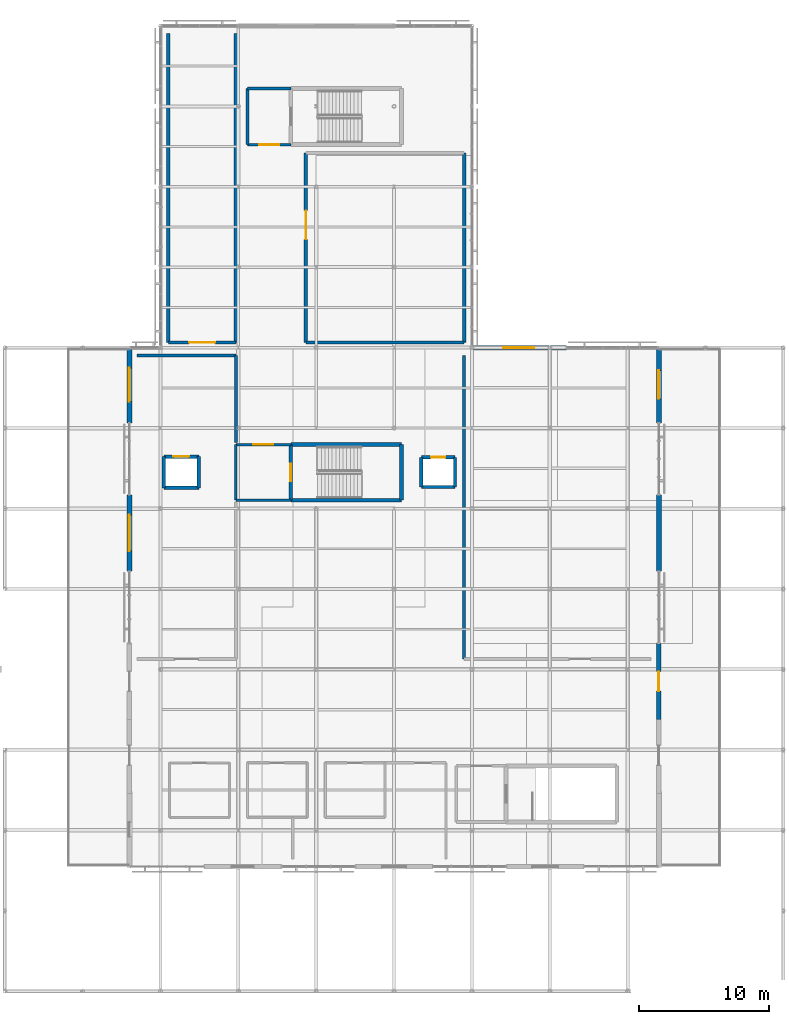
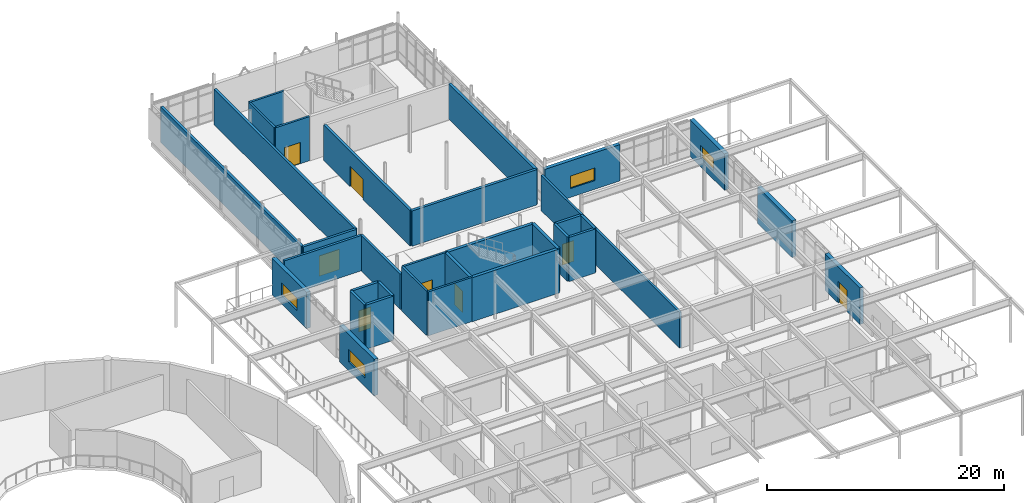
# One storey, part 42 of 48: 33 walls, 8 doors, 4 windows, 12 openings.
"""IFC4 building model written with IfcOpenShell, lengths in metres."""

from ifc_helpers import new_model, si_unit, direction, frame, frame_2d, origin, place, context, subcontext, project, spatial, rectangle, extrude, material, layer, layer_set, type_object, element, fill, save


model = new_model("IFC4")

# Units and contexts
model_context = context("Model", 3, precision=1e-05, world=origin(), true_north=direction((0.0, 1.0)))
body_context = subcontext(model_context, "Body", "Model", "MODEL_VIEW")
ifc_project = project(units=[si_unit("LENGTHUNIT", "METRE"), si_unit("AREAUNIT", "SQUARE_METRE"), si_unit("VOLUMEUNIT", "CUBIC_METRE"), si_unit("PLANEANGLEUNIT", "RADIAN"), si_unit("MASSUNIT", "GRAM", prefix="KILO")], contexts=[model_context])

# Site, building, storey
site_placement = place(None, origin())
site = spatial("IfcSite", under=ifc_project, at=site_placement, CompositionType="ELEMENT")
building_placement = place(site_placement, origin())
building = spatial("IfcBuilding", under=site, at=building_placement, Name="Mirzam Square Science Centre", CompositionType="ELEMENT")
storey_placement = place(building_placement, frame((0.0, 0.0, 20.39990234375)))
storey = spatial("IfcBuildingStorey", under=building, at=storey_placement, Name="L04", CompositionType="ELEMENT", Elevation=20.39990234375)

# Walls
ifc_material_1 = material(Name="Concrete C45/55", Category="concrete")
ifc_layer_1 = layer(ifc_material_1, 0.300048828125)
ifc_layer_set_1 = layer_set([ifc_layer_1], Name="W-CORE-300")
wall_type_1 = type_object("IfcWallType", Name="W-CORE-300", PredefinedType="SHEAR", material=ifc_layer_set_1)
for number, where, z_axis, x_axis, name in (
    (1, (124.0400390625, 75.0400390625, 0.0), (0.0, 0.0, 1.0), (1.0, 0.0, 0.0), "L04 CORE-4 south wall"),
    (2, (132.56005859375, 79.330078125, 0.0), (0.0, 0.0, 1.0), (-1.0, 0.0, 0.0), "L04 CORE-4 north wall"),
):
    element("IfcWall", number, at=place(storey_placement, frame(where, z_axis=z_axis, x_axis=x_axis)), inside=storey, type_object=wall_type_1, Name=name, PredefinedType="SHEAR", context=body_context, shape_type="SweptSolid", body=[
        extrude(rectangle(XDim=8.52001953125, YDim=0.300048828125, at=frame_2d((4.260009765625, 0.0))), origin(), (0.0, 0.0, 1.0), 4.550048828125),
    ])

# Wall, opening, door
wall_1_placement = place(storey_placement, frame((124.0400390625, 79.330078125, 0.0), z_axis=(0.0, 0.0, 1.0), x_axis=(0.0, -1.0, 0.0)))
wall_1 = element("IfcWall", 3, at=wall_1_placement, inside=storey, type_object=wall_type_1, Name="L04 CORE-4 west wall", PredefinedType="SHEAR", context=body_context, shape_type="SweptSolid", body=[
    extrude(rectangle(XDim=4.2900390625, YDim=0.300048828125, at=frame_2d((2.14501953125, 0.0))), origin(), (0.0, 0.0, 1.0), 4.550048828125),
])
opening_1_placement = place(wall_1_placement, frame((1.469970703125, 0.0, 0.0)))
opening_1 = element("IfcOpeningElement", 4, at=opening_1_placement, cuts=wall_1, Name="Opening DS-01", PredefinedType="OPENING", context=body_context, shape_type="SweptSolid", body=[
    extrude(rectangle(XDim=1.35009765625, YDim=2.199951171875, at=frame_2d((0.675048828125, 1.10009765625))), frame((0.0, 0.159912109375, 0.0), z_axis=(0.0, -1.0, 0.0), x_axis=(1.0, 0.0, 0.0)), (0.0, 0.0, 1.0), 0.320068359375),
])
ifc_material_2 = material(Name="Fire-Rated Powder-Coated Architectural Steel Door", Category="steel")
door_type_1 = type_object("IfcDoorType", Name="DR-STAIR-1350x2200", OperationType="NOTDEFINED", PredefinedType="DOOR", material=ifc_material_2)
door_1_placement = place(opening_1_placement, origin())
door_1 = element("IfcDoor", 5, at=door_1_placement, inside=storey, type_object=door_type_1, Name="DRS-4-L04", OperationType="SINGLE_SWING_RIGHT", OverallHeight=2.199951171875, OverallWidth=1.35009765625, PredefinedType="DOOR", context=body_context, shape_type="SweptSolid", body=[
    extrude(rectangle(XDim=1.35009765625, YDim=2.199951171875, at=frame_2d((0.675048828125, 1.10009765625))), frame((0.0, 0.02490234375, 0.0), z_axis=(0.0, -1.0, 0.0), x_axis=(1.0, 0.0, 0.0)), (0.0, 0.0, 1.0), 0.050048828125),
])
fill(opening_1, door_1)

# Wall
wall_2_placement = place(storey_placement, frame((132.56005859375, 75.0400390625, 0.0), z_axis=(0.0, 0.0, 1.0), x_axis=(0.0, 1.0, 0.0)))
element("IfcWall", 6, at=wall_2_placement, inside=storey, type_object=wall_type_1, Name="L04 CORE-4 east wall", PredefinedType="SHEAR", context=body_context, shape_type="SweptSolid", body=[
    extrude(rectangle(XDim=4.2900390625, YDim=0.300048828125, at=frame_2d((2.14501953125, 0.0))), origin(), (0.0, 0.0, 1.0), 4.550048828125),
])

# Wall, opening, window
ifc_material_3 = material(Name="Insulated Sand-Toned GFRC Concrete C40/50", Category="concrete")
ifc_layer_2 = layer(ifc_material_3, 0.340087890625)
ifc_layer_set_2 = layer_set([ifc_layer_2], Name="W-EXT-GFRC-340")
wall_type_2 = type_object("IfcWallType", Name="W-EXT-GFRC-340", PredefinedType="SOLIDWALL", material=ifc_layer_set_2)
wall_3_placement = place(storey_placement, frame((145.27490234375, 86.800048828125, 0.0), z_axis=(0.0, 0.0, 1.0), x_axis=(-1.0, 0.0, 0.0)))
wall_3 = element("IfcWall", 7, at=wall_3_placement, inside=storey, type_object=wall_type_2, Name="L04 external wall EW-EST-NE-L04-02", PredefinedType="SOLIDWALL", context=body_context, shape_type="SweptSolid", body=[
    extrude(rectangle(XDim=7.349853515625, YDim=0.340087890625, at=frame_2d((3.6748046875, 0.0))), origin(), (0.0, 0.0, 1.0), 3.760009765625),
])
opening_2_placement = place(wall_3_placement, frame((2.47509765625, 0.0, 0.89990234375)))
opening_2 = element("IfcOpeningElement", 8, at=opening_2_placement, cuts=wall_3, Name="Opening W-09", PredefinedType="OPENING", context=body_context, shape_type="SweptSolid", body=[
    extrude(rectangle(XDim=2.39990234375, YDim=1.300048828125, at=frame_2d((1.199951171875, 0.64990234375))), frame((0.0, 0.179931640625, 0.0), z_axis=(0.0, -1.0, 0.0), x_axis=(1.0, 0.0, 0.0)), (0.0, 0.0, 1.0), 0.360107421875),
])
ifc_material_4 = material(Name="Thermally Broken Bronze Aluminium and Low-E Glass", Category="aluminium")
window_type_1 = type_object("IfcWindowType", Name="WIN-2400x1300", PartitioningType="DOUBLE_PANEL_VERTICAL", PredefinedType="WINDOW", material=ifc_material_4)
window_1_placement = place(opening_2_placement, origin())
window_1 = element("IfcWindow", 9, at=window_1_placement, inside=storey, type_object=window_type_1, Name="L04 solar window 097", OverallHeight=1.300048828125, OverallWidth=2.39990234375, PartitioningType="DOUBLE_PANEL_VERTICAL", PredefinedType="WINDOW", context=body_context, shape_type="SweptSolid", body=[
    extrude(rectangle(XDim=2.39990234375, YDim=1.300048828125, at=frame_2d((1.199951171875, 0.64990234375))), frame((0.0, 0.030029296875, 0.0), z_axis=(0.0, -1.0, 0.0), x_axis=(1.0, 0.0, 0.0)), (0.0, 0.0, 1.0), 0.06005859375),
])
fill(opening_2, window_1)

# Wall, opening, door
ifc_layer_3 = layer(ifc_material_3, 0.35498046875)
ifc_layer_set_3 = layer_set([ifc_layer_3], Name="W-EXT-GFRC-355")
wall_type_3 = type_object("IfcWallType", Name="W-EXT-GFRC-355", PredefinedType="SOLIDWALL", material=ifc_layer_set_3)
wall_4_placement = place(storey_placement, frame((152.39990234375, 58.153564453125, 0.0), z_axis=(0.0, 0.0, 1.0), x_axis=(0.0, 1.0, 0.0)))
wall_4 = element("IfcWall", 10, at=wall_4_placement, inside=storey, type_object=wall_type_3, Name="L04 external wall EW-EST-E-L04-03", PredefinedType="SOLIDWALL", context=body_context, shape_type="SweptSolid", body=[
    extrude(rectangle(XDim=5.8642578125, YDim=0.35498046875, at=frame_2d((2.93212890625, 0.0))), origin(), (0.0, 0.0, 1.0), 3.760009765625),
])
opening_3_placement = place(wall_4_placement, frame((2.18212890625, 0.0, 0.0)))
opening_3 = element("IfcOpeningElement", 11, at=opening_3_placement, cuts=wall_4, Name="Opening TD-02", PredefinedType="OPENING", context=body_context, shape_type="SweptSolid", body=[
    extrude(rectangle(XDim=1.5, YDim=2.25, at=frame_2d((0.75, 1.125))), frame((0.0, 0.1875, 0.0), z_axis=(0.0, -1.0, 0.0), x_axis=(1.0, 0.0, 0.0)), (0.0, 0.0, 1.0), 0.375),
])
ifc_material_5 = material(Name="Thermally Broken Bronze-Anodised Aluminium and Laminated Glass", Category="aluminium")
door_type_2 = type_object("IfcDoorType", Name="DR-TERR-1500x2250", OperationType="DOUBLE_DOOR_SINGLE_SWING", PredefinedType="DOOR", material=ifc_material_5)
door_2_placement = place(opening_3_placement, frame((1.5, 0.0, 0.0), z_axis=(0.0, 0.0, 1.0), x_axis=(-1.0, 0.0, 0.0)))
door_2 = element("IfcDoor", 12, at=door_2_placement, inside=storey, type_object=door_type_2, Name="ED-L04-026", OperationType="DOUBLE_DOOR_SINGLE_SWING", OverallHeight=2.25, OverallWidth=1.5, PredefinedType="DOOR", context=body_context, shape_type="SweptSolid", body=[
    extrude(rectangle(XDim=1.5, YDim=2.25, at=frame_2d((0.75, 1.125))), frame((0.0, 0.02490234375, 0.0), z_axis=(0.0, -1.0, 0.0), x_axis=(1.0, 0.0, 0.0)), (0.0, 0.0, 1.0), 0.050048828125),
])
fill(opening_3, door_2)

# Wall
ifc_layer_4 = layer(ifc_material_3, 0.385009765625)
ifc_layer_set_4 = layer_set([ifc_layer_4], Name="W-EXT-GFRC-385")
wall_type_4 = type_object("IfcWallType", Name="W-EXT-GFRC-385", PredefinedType="SOLIDWALL", material=ifc_layer_set_4)
wall_5_placement = place(storey_placement, frame((152.39990234375, 69.58203125, 0.0), z_axis=(0.0, 0.0, 1.0), x_axis=(0.0, 1.0, 0.0)))
element("IfcWall", 13, at=wall_5_placement, inside=storey, type_object=wall_type_4, Name="L04 external wall EW-EST-E-L04-05", PredefinedType="SOLIDWALL", context=body_context, shape_type="SweptSolid", body=[
    extrude(rectangle(XDim=5.8642578125, YDim=0.385009765625, at=frame_2d((2.93212890625, 0.0))), origin(), (0.0, 0.0, 1.0), 3.760009765625),
])

# Wall, opening, window
wall_6_placement = place(storey_placement, frame((152.39990234375, 81.0107421875, 0.0), z_axis=(0.0, 0.0, 1.0), x_axis=(0.0, 1.0, 0.0)))
wall_6 = element("IfcWall", 14, at=wall_6_placement, inside=storey, type_object=wall_type_4, Name="L04 external wall EW-EST-E-L04-07", PredefinedType="SOLIDWALL", context=body_context, shape_type="SweptSolid", body=[
    extrude(rectangle(XDim=5.8642578125, YDim=0.385009765625, at=frame_2d((2.93212890625, 0.0))), origin(), (0.0, 0.0, 1.0), 3.760009765625),
])
opening_4_placement = place(wall_6_placement, frame((1.83203125, 0.0, 0.89990234375)))
opening_4 = element("IfcOpeningElement", 15, at=opening_4_placement, cuts=wall_6, Name="Opening W-08", PredefinedType="OPENING", context=body_context, shape_type="SweptSolid", body=[
    extrude(rectangle(XDim=2.199951171875, YDim=1.300048828125, at=frame_2d((1.10009765625, 0.64990234375))), frame((0.0, 0.202392578125, 0.0), z_axis=(0.0, -1.0, 0.0), x_axis=(1.0, 0.0, 0.0)), (0.0, 0.0, 1.0), 0.405029296875),
])
window_type_2 = type_object("IfcWindowType", Name="WIN-2200x1300", PartitioningType="DOUBLE_PANEL_VERTICAL", PredefinedType="WINDOW", material=ifc_material_4)
window_2_placement = place(opening_4_placement, origin())
window_2 = element("IfcWindow", 16, at=window_2_placement, inside=storey, type_object=window_type_2, Name="L04 solar window 096", OverallHeight=1.300048828125, OverallWidth=2.199951171875, PartitioningType="DOUBLE_PANEL_VERTICAL", PredefinedType="WINDOW", context=body_context, shape_type="SweptSolid", body=[
    extrude(rectangle(XDim=2.199951171875, YDim=1.300048828125, at=frame_2d((1.10009765625, 0.64990234375))), frame((0.0, 0.030029296875, 0.0), z_axis=(0.0, -1.0, 0.0), x_axis=(1.0, 0.0, 0.0)), (0.0, 0.0, 1.0), 0.06005859375),
])
fill(opening_4, window_2)

wall_7_placement = place(storey_placement, frame((111.60009765625, 86.875, 0.0), z_axis=(0.0, 0.0, 1.0), x_axis=(0.0, -1.0, 0.0)))
wall_7 = element("IfcWall", 17, at=wall_7_placement, inside=storey, type_object=wall_type_4, Name="L04 external wall EW-EST-W-L04-01", PredefinedType="SOLIDWALL", context=body_context, shape_type="SweptSolid", body=[
    extrude(rectangle(XDim=5.8642578125, YDim=0.385009765625, at=frame_2d((2.93212890625, 0.0))), origin(), (0.0, 0.0, 1.0), 3.760009765625),
])
opening_5_placement = place(wall_7_placement, frame((1.632080078125, 0.0, 0.89990234375)))
opening_5 = element("IfcOpeningElement", 18, at=opening_5_placement, cuts=wall_7, Name="Opening W-10", PredefinedType="OPENING", context=body_context, shape_type="SweptSolid", body=[
    extrude(rectangle(XDim=2.60009765625, YDim=1.300048828125, at=frame_2d((1.300048828125, 0.64990234375))), frame((0.0, 0.202392578125, 0.0), z_axis=(0.0, -1.0, 0.0), x_axis=(1.0, 0.0, 0.0)), (0.0, 0.0, 1.0), 0.405029296875),
])
window_type_3 = type_object("IfcWindowType", Name="WIN-2600x1300", PartitioningType="DOUBLE_PANEL_VERTICAL", PredefinedType="WINDOW", material=ifc_material_4)
window_3_placement = place(opening_5_placement, origin())
window_3 = element("IfcWindow", 19, at=window_3_placement, inside=storey, type_object=window_type_3, Name="L04 solar window 098", OverallHeight=1.300048828125, OverallWidth=2.60009765625, PartitioningType="DOUBLE_PANEL_VERTICAL", PredefinedType="WINDOW", context=body_context, shape_type="SweptSolid", body=[
    extrude(rectangle(XDim=2.60009765625, YDim=1.300048828125, at=frame_2d((1.300048828125, 0.64990234375))), frame((0.0, 0.030029296875, 0.0), z_axis=(0.0, -1.0, 0.0), x_axis=(1.0, 0.0, 0.0)), (0.0, 0.0, 1.0), 0.06005859375),
])
fill(opening_5, window_3)

wall_8_placement = place(storey_placement, frame((111.60009765625, 75.4462890625, 0.0), z_axis=(0.0, 0.0, 1.0), x_axis=(0.0, -1.0, 0.0)))
wall_8 = element("IfcWall", 20, at=wall_8_placement, inside=storey, type_object=wall_type_4, Name="L04 external wall EW-EST-W-L04-03", PredefinedType="SOLIDWALL", context=body_context, shape_type="SweptSolid", body=[
    extrude(rectangle(XDim=5.8642578125, YDim=0.385009765625, at=frame_2d((2.93212890625, 0.0))), origin(), (0.0, 0.0, 1.0), 3.760009765625),
])
opening_6_placement = place(wall_8_placement, frame((1.5322265625, 0.0, 0.89990234375)))
opening_6 = element("IfcOpeningElement", 21, at=opening_6_placement, cuts=wall_8, Name="Opening W-11", PredefinedType="OPENING", context=body_context, shape_type="SweptSolid", body=[
    extrude(rectangle(XDim=2.800048828125, YDim=1.300048828125, at=frame_2d((1.39990234375, 0.64990234375))), frame((0.0, 0.202392578125, 0.0), z_axis=(0.0, -1.0, 0.0), x_axis=(1.0, 0.0, 0.0)), (0.0, 0.0, 1.0), 0.405029296875),
])
window_type_4 = type_object("IfcWindowType", Name="WIN-2800x1300", PartitioningType="DOUBLE_PANEL_VERTICAL", PredefinedType="WINDOW", material=ifc_material_4)
window_4_placement = place(opening_6_placement, origin())
window_4 = element("IfcWindow", 22, at=window_4_placement, inside=storey, type_object=window_type_4, Name="L04 solar window 099", OverallHeight=1.300048828125, OverallWidth=2.800048828125, PartitioningType="DOUBLE_PANEL_VERTICAL", PredefinedType="WINDOW", context=body_context, shape_type="SweptSolid", body=[
    extrude(rectangle(XDim=2.800048828125, YDim=1.300048828125, at=frame_2d((1.39990234375, 0.64990234375))), frame((0.0, 0.030029296875, 0.0), z_axis=(0.0, -1.0, 0.0), x_axis=(1.0, 0.0, 0.0)), (0.0, 0.0, 1.0), 0.06005859375),
])
fill(opening_6, window_4)

# Wall
ifc_layer_5 = layer(ifc_material_1, 0.199951171875)
ifc_layer_set_5 = layer_set([ifc_layer_5], Name="W-LOBBY-200")
wall_type_5 = type_object("IfcWallType", Name="W-LOBBY-200", PredefinedType="SHEAR", material=ifc_layer_set_5)
wall_9_placement = place(storey_placement, frame((119.800048828125, 75.0400390625, 0.0), z_axis=(0.0, 0.0, 1.0), x_axis=(1.0, 0.0, 0.0)))
element("IfcWall", 23, at=wall_9_placement, inside=storey, type_object=wall_type_5, Name="L04 CORE-4 lobby south wall", PredefinedType="SHEAR", context=body_context, shape_type="SweptSolid", body=[
    extrude(rectangle(XDim=4.239990234375, YDim=0.199951171875, at=frame_2d((2.1201171875, 0.0))), origin(), (0.0, 0.0, 1.0), 4.550048828125),
])

# Wall, opening, door
wall_10_placement = place(storey_placement, frame((124.0400390625, 79.330078125, 0.0), z_axis=(0.0, 0.0, 1.0), x_axis=(-1.0, 0.0, 0.0)))
wall_10 = element("IfcWall", 24, at=wall_10_placement, inside=storey, type_object=wall_type_5, Name="L04 CORE-4 lobby north wall", PredefinedType="SHEAR", context=body_context, shape_type="SweptSolid", body=[
    extrude(rectangle(XDim=4.239990234375, YDim=0.199951171875, at=frame_2d((2.1201171875, 0.0))), origin(), (0.0, 0.0, 1.0), 4.550048828125),
])
opening_7_placement = place(wall_10_placement, frame((1.344970703125, 0.0, 0.0)))
opening_7 = element("IfcOpeningElement", 25, at=opening_7_placement, cuts=wall_10, Name="Opening DL-01", PredefinedType="OPENING", context=body_context, shape_type="SweptSolid", body=[
    extrude(rectangle(XDim=1.550048828125, YDim=2.199951171875, at=frame_2d((0.77490234375, 1.10009765625))), frame((0.0, 0.10986328125, 0.0), z_axis=(0.0, -1.0, 0.0), x_axis=(1.0, 0.0, 0.0)), (0.0, 0.0, 1.0), 0.219970703125),
])
ifc_material_6 = material(Name="Fire-Rated Glazed Architectural Steel Lobby Door", Category="steel")
door_type_3 = type_object("IfcDoorType", Name="DR-LOBBY-1550x2200", OperationType="DOUBLE_DOOR_SINGLE_SWING", PredefinedType="DOOR", material=ifc_material_6)
door_3_placement = place(opening_7_placement, origin())
door_3 = element("IfcDoor", 26, at=door_3_placement, inside=storey, type_object=door_type_3, Name="DRL-4-L04", OperationType="SINGLE_SWING_LEFT", OverallHeight=2.199951171875, OverallWidth=1.550048828125, PredefinedType="DOOR", context=body_context, shape_type="SweptSolid", body=[
    extrude(rectangle(XDim=1.550048828125, YDim=2.199951171875, at=frame_2d((0.77490234375, 1.10009765625))), frame((0.0, 0.02490234375, 0.0), z_axis=(0.0, -1.0, 0.0), x_axis=(1.0, 0.0, 0.0)), (0.0, 0.0, 1.0), 0.050048828125),
])
fill(opening_7, door_3)

# Wall
wall_11_placement = place(storey_placement, frame((119.800048828125, 79.330078125, 0.0), z_axis=(0.0, 0.0, 1.0), x_axis=(0.0, -1.0, 0.0)))
element("IfcWall", 27, at=wall_11_placement, inside=storey, type_object=wall_type_5, Name="L04 CORE-4 lobby west wall", PredefinedType="SHEAR", context=body_context, shape_type="SweptSolid", body=[
    extrude(rectangle(XDim=4.2900390625, YDim=0.199951171875, at=frame_2d((2.14501953125, 0.0))), origin(), (0.0, 0.0, 1.0), 4.550048828125),
])

# Wall, opening, door
wall_12_placement = place(storey_placement, frame((120.699951171875, 102.43994140625, 0.0), z_axis=(0.0, 0.0, 1.0), x_axis=(1.0, 0.0, 0.0)))
wall_12 = element("IfcWall", 28, at=wall_12_placement, inside=storey, type_object=wall_type_5, Name="L04 CORE-7 lobby south wall", PredefinedType="SHEAR", context=body_context, shape_type="SweptSolid", body=[
    extrude(rectangle(XDim=3.340087890625, YDim=0.199951171875, at=frame_2d((1.669921875, 0.0))), origin(), (0.0, 0.0, 1.0), 4.550048828125),
])
opening_8_placement = place(wall_12_placement, frame((0.89501953125, 0.0, 0.0)))
opening_8 = element("IfcOpeningElement", 29, at=opening_8_placement, cuts=wall_12, Name="Opening DL-01", PredefinedType="OPENING", context=body_context, shape_type="SweptSolid", body=[
    extrude(rectangle(XDim=1.550048828125, YDim=2.199951171875, at=frame_2d((0.77490234375, 1.10009765625))), frame((0.0, 0.10986328125, 0.0), z_axis=(0.0, -1.0, 0.0), x_axis=(1.0, 0.0, 0.0)), (0.0, 0.0, 1.0), 0.219970703125),
])
door_4_placement = place(opening_8_placement, origin())
door_4 = element("IfcDoor", 30, at=door_4_placement, inside=storey, type_object=door_type_3, Name="DRL-7-L04", OperationType="SINGLE_SWING_LEFT", OverallHeight=2.199951171875, OverallWidth=1.550048828125, PredefinedType="DOOR", context=body_context, shape_type="SweptSolid", body=[
    extrude(rectangle(XDim=1.550048828125, YDim=2.199951171875, at=frame_2d((0.77490234375, 1.10009765625))), frame((0.0, 0.02490234375, 0.0), z_axis=(0.0, -1.0, 0.0), x_axis=(1.0, 0.0, 0.0)), (0.0, 0.0, 1.0), 0.050048828125),
])
fill(opening_8, door_4)

# Walls
wall_13_placement = place(storey_placement, frame((124.0400390625, 106.77001953125, 0.0), z_axis=(0.0, 0.0, 1.0), x_axis=(-1.0, 0.0, 0.0)))
element("IfcWall", 31, at=wall_13_placement, inside=storey, type_object=wall_type_5, Name="L04 CORE-7 lobby north wall", PredefinedType="SHEAR", context=body_context, shape_type="SweptSolid", body=[
    extrude(rectangle(XDim=3.340087890625, YDim=0.199951171875, at=frame_2d((1.669921875, 0.0))), origin(), (0.0, 0.0, 1.0), 4.550048828125),
])
wall_14_placement = place(storey_placement, frame((120.699951171875, 106.77001953125, 0.0), z_axis=(0.0, 0.0, 1.0), x_axis=(0.0, -1.0, 0.0)))
element("IfcWall", 32, at=wall_14_placement, inside=storey, type_object=wall_type_5, Name="L04 CORE-7 lobby west wall", PredefinedType="SHEAR", context=body_context, shape_type="SweptSolid", body=[
    extrude(rectangle(XDim=4.330078125, YDim=0.199951171875, at=frame_2d((2.1650390625, 0.0))), origin(), (0.0, 0.0, 1.0), 4.550048828125),
])
ifc_material_7 = material(Name="Chemical Prep Fire Partition Concrete C30/37", Category="concrete")
ifc_layer_6 = layer(ifc_material_7, 0.215087890625)
ifc_layer_set_6 = layer_set([ifc_layer_6], Name="W-PART-215")
wall_type_6 = type_object("IfcWallType", Name="W-PART-215", PredefinedType="PARTITIONING", material=ifc_layer_set_6)
wall_15_placement = place(storey_placement, frame((137.39990234375, 62.800048828125, 0.0), z_axis=(0.0, 0.0, 1.0), x_axis=(0.0, 1.0, 0.0)))
element("IfcWall", 33, at=wall_15_placement, inside=storey, type_object=wall_type_6, Name="L04 Telescope Optics School Workshop 6 partition 289", PredefinedType="PARTITIONING", context=body_context, shape_type="SweptSolid", body=[
    extrude(rectangle(XDim=23.39990234375, YDim=0.215087890625, at=frame_2d((11.699951171875, 0.0))), origin(), (0.0, 0.0, 1.0), 3.650146484375),
])
ifc_material_8 = material(Name="Gallery Display Backing Wall Concrete C30/37", Category="concrete")
ifc_layer_7 = layer(ifc_material_8, 0.22998046875)
ifc_layer_set_7 = layer_set([ifc_layer_7], Name="W-PART-230")
wall_type_7 = type_object("IfcWallType", Name="W-PART-230", PredefinedType="PARTITIONING", material=ifc_layer_set_7)
wall_16_placement = place(storey_placement, frame((112.199951171875, 86.199951171875, 0.0), z_axis=(0.0, 0.0, 1.0), x_axis=(1.0, 0.0, 0.0)))
element("IfcWall", 34, at=wall_16_placement, inside=storey, type_object=wall_type_7, Name="L04 Mirzam Public Science Library partition 291", PredefinedType="PARTITIONING", context=body_context, shape_type="SweptSolid", body=[
    extrude(rectangle(XDim=7.60009765625, YDim=0.22998046875, at=frame_2d((3.800048828125, 0.0))), origin(), (0.0, 0.0, 1.0), 3.650146484375),
])
wall_17_placement = place(storey_placement, frame((119.800048828125, 86.199951171875, 0.0), z_axis=(0.0, 0.0, 1.0), x_axis=(0.0, -1.0, 0.0)))
element("IfcWall", 35, at=wall_17_placement, inside=storey, type_object=wall_type_7, Name="L04 Mirzam Public Science Library partition 292", PredefinedType="PARTITIONING", context=body_context, shape_type="SweptSolid", body=[
    extrude(rectangle(XDim=6.699951171875, YDim=0.22998046875, at=frame_2d((3.35009765625, 0.0))), origin(), (0.0, 0.0, 1.0), 3.650146484375),
])
ifc_material_9 = material(Name="Plant Acoustic Barrier Wall Concrete C35/45", Category="concrete")
ifc_layer_8 = layer(ifc_material_9, 0.2451171875)
ifc_layer_set_8 = layer_set([ifc_layer_8], Name="W-PART-245")
wall_type_8 = type_object("IfcWallType", Name="W-PART-245", PredefinedType="PARTITIONING", material=ifc_layer_set_8)
wall_18_placement = place(storey_placement, frame((119.800048828125, 111.0, 0.0), z_axis=(0.0, 0.0, 1.0), x_axis=(0.0, -1.0, 0.0)))
element("IfcWall", 36, at=wall_18_placement, inside=storey, type_object=wall_type_8, Name="L04 Atmospheric Spectroscopy Dry Laboratory 5 partition 294", PredefinedType="PARTITIONING", context=body_context, shape_type="SweptSolid", body=[
    extrude(rectangle(XDim=23.800048828125, YDim=0.2451171875, at=frame_2d((11.89990234375, 0.0))), origin(), (0.0, 0.0, 1.0), 3.650146484375),
])

# Wall, opening, door
wall_19_placement = place(storey_placement, frame((119.800048828125, 87.199951171875, 0.0), z_axis=(0.0, 0.0, 1.0), x_axis=(-1.0, 0.0, 0.0)))
wall_19 = element("IfcWall", 37, at=wall_19_placement, inside=storey, type_object=wall_type_8, Name="L04 Atmospheric Spectroscopy Dry Laboratory 5 partition 295", PredefinedType="PARTITIONING", context=body_context, shape_type="SweptSolid", body=[
    extrude(rectangle(XDim=5.199951171875, YDim=0.2451171875, at=frame_2d((2.60009765625, 0.0))), origin(), (0.0, 0.0, 1.0), 3.650146484375),
])
opening_9_placement = place(wall_19_placement, frame((1.60009765625, 0.0, 0.0)))
opening_9 = element("IfcOpeningElement", 38, at=opening_9_placement, cuts=wall_19, Name="Opening D-10", PredefinedType="OPENING", context=body_context, shape_type="SweptSolid", body=[
    extrude(rectangle(XDim=2.0, YDim=2.10009765625, at=frame_2d((1.0, 1.050048828125))), frame((0.0, 0.132568359375, 0.0), z_axis=(0.0, -1.0, 0.0), x_axis=(1.0, 0.0, 0.0)), (0.0, 0.0, 1.0), 0.26513671875),
])
ifc_material_10 = material(Name="Powder-Coated Architectural Steel Acoustic Door", Category="steel")
door_type_4 = type_object("IfcDoorType", Name="DR-INT-2000x2100", OperationType="DOUBLE_DOOR_SINGLE_SWING", PredefinedType="DOOR", material=ifc_material_10)
door_5_placement = place(opening_9_placement, origin())
door_5 = element("IfcDoor", 39, at=door_5_placement, inside=storey, type_object=door_type_4, Name="ID-L04-0081", OperationType="DOUBLE_DOOR_SINGLE_SWING", OverallHeight=2.10009765625, OverallWidth=2.0, PredefinedType="DOOR", context=body_context, shape_type="SweptSolid", body=[
    extrude(rectangle(XDim=2.0, YDim=2.10009765625, at=frame_2d((1.0, 1.050048828125))), frame((0.0, 0.02490234375, 0.0), z_axis=(0.0, -1.0, 0.0), x_axis=(1.0, 0.0, 0.0)), (0.0, 0.0, 1.0), 0.050048828125),
])
fill(opening_9, door_5)

# Walls
wall_20_placement = place(storey_placement, frame((114.60009765625, 87.199951171875, 0.0), z_axis=(0.0, 0.0, 1.0), x_axis=(0.0, 1.0, 0.0)))
element("IfcWall", 40, at=wall_20_placement, inside=storey, type_object=wall_type_8, Name="L04 Atmospheric Spectroscopy Dry Laboratory 5 partition 296", PredefinedType="PARTITIONING", context=body_context, shape_type="SweptSolid", body=[
    extrude(rectangle(XDim=23.800048828125, YDim=0.2451171875, at=frame_2d((11.89990234375, 0.0))), origin(), (0.0, 0.0, 1.0), 3.650146484375),
])
ifc_material_11 = material(Name="Theatre Acoustic Isolation Wall Concrete C35/45", Category="concrete")
ifc_layer_9 = layer(ifc_material_11, 0.260009765625)
ifc_layer_set_9 = layer_set([ifc_layer_9], Name="W-PART-260")
wall_type_9 = type_object("IfcWallType", Name="W-PART-260", PredefinedType="PARTITIONING", material=ifc_layer_set_9)
wall_21_placement = place(storey_placement, frame((137.39990234375, 101.800048828125, 0.0), z_axis=(0.0, 0.0, 1.0), x_axis=(0.0, -1.0, 0.0)))
element("IfcWall", 41, at=wall_21_placement, inside=storey, type_object=wall_type_9, Name="L04 Astrophysics Digital Periodicals Archive partition 298", PredefinedType="PARTITIONING", context=body_context, shape_type="SweptSolid", body=[
    extrude(rectangle(XDim=14.60009765625, YDim=0.260009765625, at=frame_2d((7.300048828125, 0.0))), origin(), (0.0, 0.0, 1.0), 3.650146484375),
])
wall_22_placement = place(storey_placement, frame((137.39990234375, 87.199951171875, 0.0), z_axis=(0.0, 0.0, 1.0), x_axis=(-1.0, 0.0, 0.0)))
element("IfcWall", 42, at=wall_22_placement, inside=storey, type_object=wall_type_9, Name="L04 Astrophysics Digital Periodicals Archive partition 299", PredefinedType="PARTITIONING", context=body_context, shape_type="SweptSolid", body=[
    extrude(rectangle(XDim=12.199951171875, YDim=0.260009765625, at=frame_2d((6.10009765625, 0.0))), origin(), (0.0, 0.0, 1.0), 3.650146484375),
])

# Wall, opening, door
wall_23_placement = place(storey_placement, frame((125.199951171875, 87.199951171875, 0.0), z_axis=(0.0, 0.0, 1.0), x_axis=(0.0, 1.0, 0.0)))
wall_23 = element("IfcWall", 43, at=wall_23_placement, inside=storey, type_object=wall_type_9, Name="L04 Astrophysics Digital Periodicals Archive partition 300", PredefinedType="PARTITIONING", context=body_context, shape_type="SweptSolid", body=[
    extrude(rectangle(XDim=14.60009765625, YDim=0.260009765625, at=frame_2d((7.300048828125, 0.0))), origin(), (0.0, 0.0, 1.0), 3.650146484375),
])
opening_10_placement = place(wall_23_placement, frame((7.951904296875, 0.0, 0.0)))
opening_10 = element("IfcOpeningElement", 44, at=opening_10_placement, cuts=wall_23, Name="Opening D-11", PredefinedType="OPENING", context=body_context, shape_type="SweptSolid", body=[
    extrude(rectangle(XDim=2.199951171875, YDim=2.10009765625, at=frame_2d((1.10009765625, 1.050048828125))), frame((0.0, 0.139892578125, 0.0), z_axis=(0.0, -1.0, 0.0), x_axis=(1.0, 0.0, 0.0)), (0.0, 0.0, 1.0), 0.280029296875),
])
door_type_5 = type_object("IfcDoorType", Name="DR-INT-2200x2100", OperationType="DOUBLE_DOOR_SINGLE_SWING", PredefinedType="DOOR", material=ifc_material_10)
door_6_placement = place(opening_10_placement, origin())
door_6 = element("IfcDoor", 45, at=door_6_placement, inside=storey, type_object=door_type_5, Name="ID-L04-0082", OperationType="DOUBLE_DOOR_SINGLE_SWING", OverallHeight=2.10009765625, OverallWidth=2.199951171875, PredefinedType="DOOR", context=body_context, shape_type="SweptSolid", body=[
    extrude(rectangle(XDim=2.199951171875, YDim=2.10009765625, at=frame_2d((1.10009765625, 1.050048828125))), frame((0.0, 0.02490234375, 0.0), z_axis=(0.0, -1.0, 0.0), x_axis=(1.0, 0.0, 0.0)), (0.0, 0.0, 1.0), 0.050048828125),
])
fill(opening_10, door_6)

# Wall
ifc_layer_10 = layer(ifc_material_1, 0.25)
ifc_layer_set_10 = layer_set([ifc_layer_10], Name="W-SHAFT-250")
wall_type_10 = type_object("IfcWallType", Name="W-SHAFT-250", PredefinedType="SHEAR", material=ifc_layer_set_10)
wall_24_placement = place(storey_placement, frame((134.10009765625, 76.050048828125, 0.0), z_axis=(0.0, 0.0, 1.0), x_axis=(1.0, 0.0, 0.0)))
element("IfcWall", 46, at=wall_24_placement, inside=storey, type_object=wall_type_10, Name="L04 lift LP-03 shaft wall S", PredefinedType="SHEAR", context=body_context, shape_type="SweptSolid", body=[
    extrude(rectangle(XDim=2.599853515625, YDim=0.25, at=frame_2d((1.2998046875, 0.0))), origin(), (0.0, 0.0, 1.0), 4.550048828125),
])

# Wall, opening, door
wall_25_placement = place(storey_placement, frame((136.699951171875, 78.35009765625, 0.0), z_axis=(0.0, 0.0, 1.0), x_axis=(-1.0, 0.0, 0.0)))
wall_25 = element("IfcWall", 47, at=wall_25_placement, inside=storey, type_object=wall_type_10, Name="L04 lift LP-03 shaft wall N", PredefinedType="SHEAR", context=body_context, shape_type="SweptSolid", body=[
    extrude(rectangle(XDim=2.599853515625, YDim=0.25, at=frame_2d((1.2998046875, 0.0))), origin(), (0.0, 0.0, 1.0), 4.550048828125),
])
opening_11_placement = place(wall_25_placement, frame((0.75, 0.0, 0.0)))
opening_11 = element("IfcOpeningElement", 48, at=opening_11_placement, cuts=wall_25, Name="Opening LD-01", PredefinedType="OPENING", context=body_context, shape_type="SweptSolid", body=[
    extrude(rectangle(XDim=1.10009765625, YDim=2.14990234375, at=frame_2d((0.550048828125, 1.074951171875))), frame((0.0, 0.135009765625, 0.0), z_axis=(0.0, -1.0, 0.0), x_axis=(1.0, 0.0, 0.0)), (0.0, 0.0, 1.0), 0.27001953125),
])
ifc_material_12 = material(Name="Brushed Stainless Steel 316L Sliding Lift Door", Category="steel")
door_type_6 = type_object("IfcDoorType", Name="LD-PASS-1100x2150", OperationType="DOUBLE_DOOR_SLIDING", PredefinedType="DOOR", material=ifc_material_12)
door_7_placement = place(opening_11_placement, origin())
door_7 = element("IfcDoor", 49, at=door_7_placement, inside=storey, type_object=door_type_6, Name="LD-LP-03-L04", OperationType="DOUBLE_DOOR_SLIDING", OverallHeight=2.14990234375, OverallWidth=1.10009765625, PredefinedType="DOOR", context=body_context, shape_type="SweptSolid", body=[
    extrude(rectangle(XDim=1.10009765625, YDim=2.14990234375, at=frame_2d((0.550048828125, 1.074951171875))), frame((0.0, 0.02490234375, 0.0), z_axis=(0.0, -1.0, 0.0), x_axis=(1.0, 0.0, 0.0)), (0.0, 0.0, 1.0), 0.050048828125),
])
fill(opening_11, door_7)

# Walls
for number, where, z_axis, x_axis, name in (
    (50, (134.10009765625, 78.35009765625, 0.0), (0.0, 0.0, 1.0), (0.0, -1.0, 0.0), "L04 lift LP-03 shaft wall W"),
    (51, (136.699951171875, 76.050048828125, 0.0), (0.0, 0.0, 1.0), (0.0, 1.0, 0.0), "L04 lift LP-03 shaft wall E"),
):
    element("IfcWall", number, at=place(storey_placement, frame(where, z_axis=z_axis, x_axis=x_axis)), inside=storey, type_object=wall_type_10, Name=name, PredefinedType="SHEAR", context=body_context, shape_type="SweptSolid", body=[
        extrude(rectangle(XDim=2.300048828125, YDim=0.25, at=frame_2d((1.14990234375, 0.0))), origin(), (0.0, 0.0, 1.0), 4.550048828125),
    ])
wall_26_placement = place(storey_placement, frame((114.25, 76.0, 0.0), z_axis=(0.0, 0.0, 1.0), x_axis=(1.0, 0.0, 0.0)))
element("IfcWall", 52, at=wall_26_placement, inside=storey, type_object=wall_type_10, Name="L04 lift LF-02 shaft wall S", PredefinedType="SHEAR", context=body_context, shape_type="SweptSolid", body=[
    extrude(rectangle(XDim=2.699951171875, YDim=0.25, at=frame_2d((1.35009765625, 0.0))), origin(), (0.0, 0.0, 1.0), 4.550048828125),
])

# Wall, opening, door
wall_27_placement = place(storey_placement, frame((116.949951171875, 78.39990234375, 0.0), z_axis=(0.0, 0.0, 1.0), x_axis=(-1.0, 0.0, 0.0)))
wall_27 = element("IfcWall", 53, at=wall_27_placement, inside=storey, type_object=wall_type_10, Name="L04 lift LF-02 shaft wall N", PredefinedType="SHEAR", context=body_context, shape_type="SweptSolid", body=[
    extrude(rectangle(XDim=2.699951171875, YDim=0.25, at=frame_2d((1.35009765625, 0.0))), origin(), (0.0, 0.0, 1.0), 4.550048828125),
])
opening_12_placement = place(wall_27_placement, frame((0.75, 0.0, 0.0)))
opening_12 = element("IfcOpeningElement", 54, at=opening_12_placement, cuts=wall_27, Name="Opening LD-02", PredefinedType="OPENING", context=body_context, shape_type="SweptSolid", body=[
    extrude(rectangle(XDim=1.199951171875, YDim=2.199951171875, at=frame_2d((0.60009765625, 1.10009765625))), frame((0.0, 0.135009765625, 0.0), z_axis=(0.0, -1.0, 0.0), x_axis=(1.0, 0.0, 0.0)), (0.0, 0.0, 1.0), 0.27001953125),
])
ifc_material_13 = material(Name="Firefighting Brushed Stainless Steel 316L Sliding Door", Category="steel")
door_type_7 = type_object("IfcDoorType", Name="LD-FIRE-1200x2200", OperationType="DOUBLE_DOOR_SLIDING", PredefinedType="DOOR", material=ifc_material_13)
door_8_placement = place(opening_12_placement, origin())
door_8 = element("IfcDoor", 55, at=door_8_placement, inside=storey, type_object=door_type_7, Name="LD-LF-02-L04", OperationType="DOUBLE_DOOR_SLIDING", OverallHeight=2.199951171875, OverallWidth=1.199951171875, PredefinedType="DOOR", context=body_context, shape_type="SweptSolid", body=[
    extrude(rectangle(XDim=1.199951171875, YDim=2.199951171875, at=frame_2d((0.60009765625, 1.10009765625))), frame((0.0, 0.02490234375, 0.0), z_axis=(0.0, -1.0, 0.0), x_axis=(1.0, 0.0, 0.0)), (0.0, 0.0, 1.0), 0.050048828125),
])
fill(opening_12, door_8)

# Walls
for number, where, z_axis, x_axis, name in (
    (56, (114.25, 78.39990234375, 0.0), (0.0, 0.0, 1.0), (0.0, -1.0, 0.0), "L04 lift LF-02 shaft wall W"),
    (57, (116.949951171875, 76.0, 0.0), (0.0, 0.0, 1.0), (0.0, 1.0, 0.0), "L04 lift LF-02 shaft wall E"),
):
    element("IfcWall", number, at=place(storey_placement, frame(where, z_axis=z_axis, x_axis=x_axis)), inside=storey, type_object=wall_type_10, Name=name, PredefinedType="SHEAR", context=body_context, shape_type="SweptSolid", body=[
        extrude(rectangle(XDim=2.39990234375, YDim=0.25, at=frame_2d((1.199951171875, 0.0))), origin(), (0.0, 0.0, 1.0), 4.550048828125),
    ])

save(model, "model.ifc")
